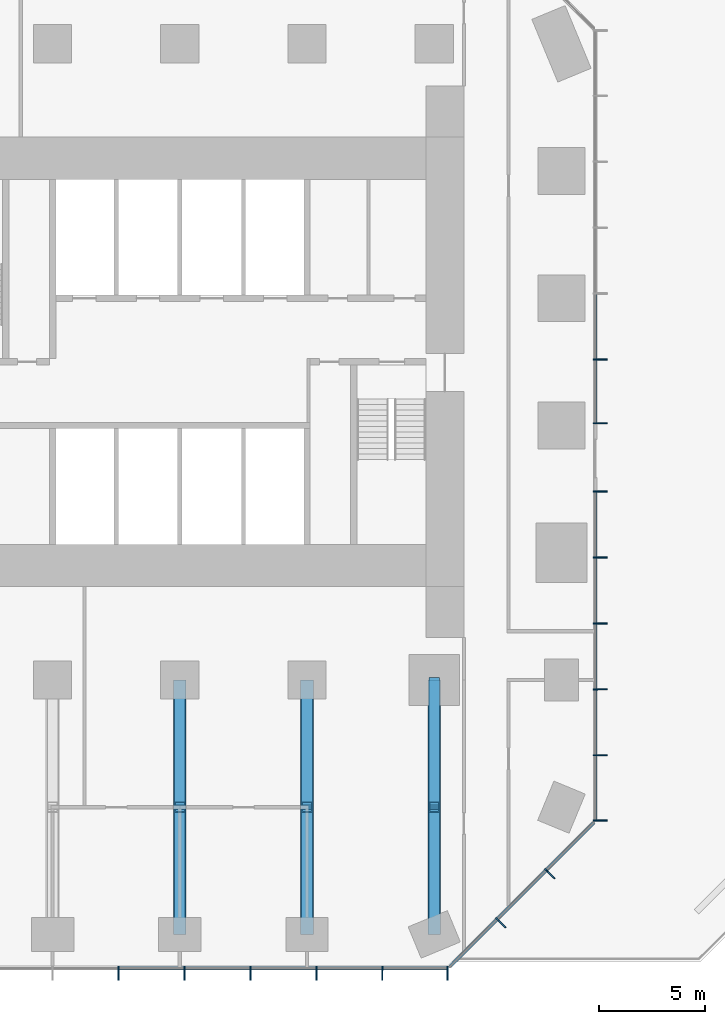
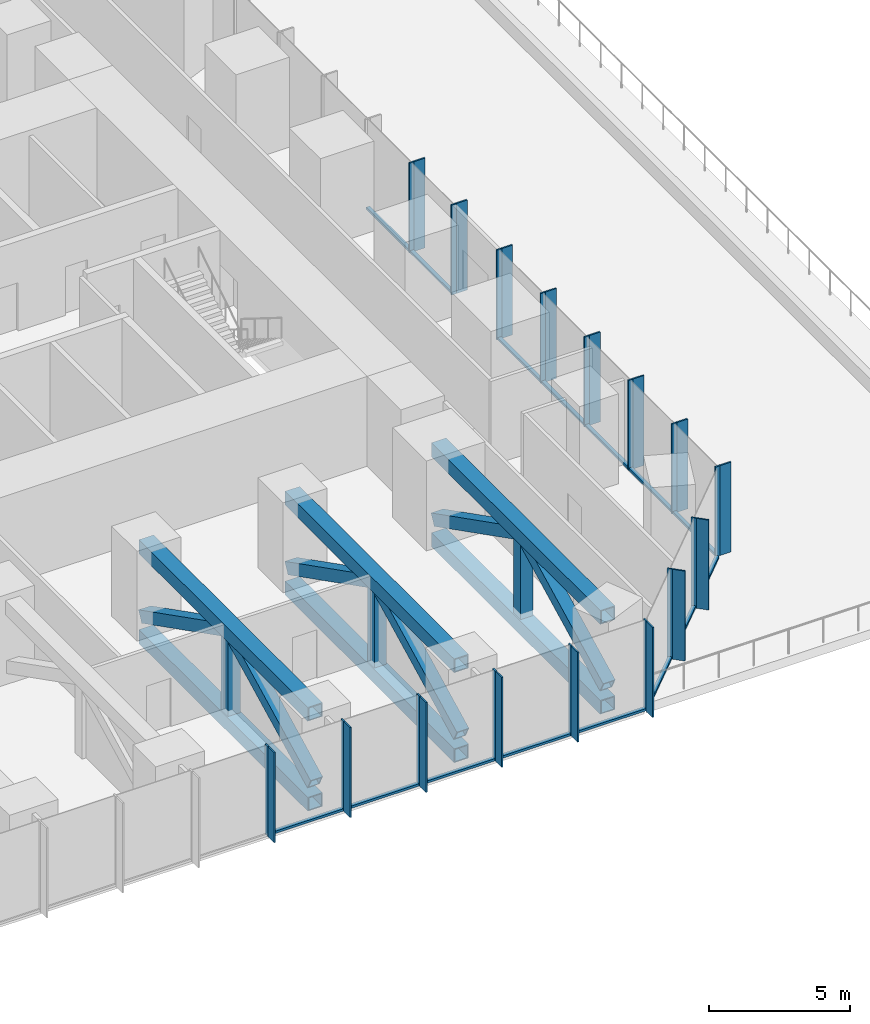
# One storey, part 4 of 11: 56 members, 6 beams, 4 elements without a shape of their own.
"""IFC4 building model written with IfcOpenShell, lengths in metres."""

import ifcopenshell
import ifcopenshell.guid

model = None  # the IFC model being written
_history = None  # IfcOwnerHistory: only IFC2X3 demands one
_inside = {}  # id of a spatial element -> (the spatial element, [elements in it])
_under = {}  # id of a project, library or spatial element -> (it, [spatial elements below it])
_declared = {}  # id of a project -> (the project, [libraries it declares])
_typed = {}  # id of a type object -> (the type object, [elements of that type])
_made_of = {}  # id of a material, layer set ... -> (it, [elements and type objects made of it])


def new_model(schema):
    """Start an empty IFC model of exactly this schema.

    Asked for "IFC4X3", IfcOpenShell would pick the latest addendum, in which some entities
    have other attributes; the version numbers below select the first issue.
    IFC2X3 requires an IfcOwnerHistory on every rooted entity: one is made here for all.
    """
    global model, _history
    if schema == "IFC4X3":
        model = ifcopenshell.file(schema_version=(4, 3, 0, 0))
    else:
        model = ifcopenshell.file(schema=schema)
    _inside.clear()
    _under.clear()
    _declared.clear()
    _typed.clear()
    _made_of.clear()
    _history = None
    if model.schema == "IFC2X3":
        org = make("IfcOrganization", Name="unknown")
        user = make(
            "IfcPersonAndOrganization",
            ThePerson=make("IfcPerson", FamilyName="unknown"),
            TheOrganization=org,
        )
        app = make(
            "IfcApplication",
            ApplicationDeveloper=org,
            Version="unknown",
            ApplicationFullName="unknown",
            ApplicationIdentifier="unknown",
        )
        _history = make(
            "IfcOwnerHistory",
            OwningUser=user,
            OwningApplication=app,
            ChangeAction="ADDED",
            CreationDate=0,
        )
    return model


def make(cls, **values):
    """One entity of the class cls with the attributes given. An attribute that is None is left unset."""
    return model.create_entity(
        cls, **{name: value for name, value in values.items() if value is not None}
    )


def rooted(cls, **values):
    """An entity with a GlobalId (a new one), such as an element, a storey or a relation."""
    return make(cls, GlobalId=ifcopenshell.guid.new(), OwnerHistory=_history, **values)


def si_unit(unit_type, name, prefix=None):
    """IfcSIUnit, for example si_unit("LENGTHUNIT", "METRE", prefix="MILLI")."""
    return make("IfcSIUnit", UnitType=unit_type, Prefix=prefix, Name=name)


def assignment(units):
    """IfcUnitAssignment: the units of a project."""
    return None if units is None else make("IfcUnitAssignment", Units=units)


def point(xyz):
    """IfcCartesianPoint."""
    return None if xyz is None else make("IfcCartesianPoint", Coordinates=xyz)


def direction(xyz):
    """IfcDirection."""
    return None if xyz is None else make("IfcDirection", DirectionRatios=xyz)


def frame(location, z_axis=None, x_axis=None):
    """IfcAxis2Placement3D, a coordinate frame: its origin and axes. An axis left out is left unset."""
    return make(
        "IfcAxis2Placement3D",
        Location=point(location),
        Axis=direction(z_axis),
        RefDirection=direction(x_axis),
    )


def frame_2d(location, x_axis=None):
    """IfcAxis2Placement2D, a coordinate frame in the plane: its origin and x axis."""
    return make(
        "IfcAxis2Placement2D", Location=point(location), RefDirection=direction(x_axis)
    )


def origin():
    """The frame at (0, 0, 0) with its axes left unset."""
    return frame((0.0, 0.0, 0.0))


def origin_2d():
    """The frame at (0, 0) in the plane with its x axis left unset."""
    return frame_2d((0.0, 0.0))


def place(relative_to, where):
    """IfcLocalPlacement: puts the frame where relative to a parent placement (None: the world)."""
    return make(
        "IfcLocalPlacement", PlacementRelTo=relative_to, RelativePlacement=where
    )


def context(
    kind, dimensions, precision=None, world=None, true_north=None, identifier=None
):
    """IfcGeometricRepresentationContext, for example the 3D "Model" context."""
    return make(
        "IfcGeometricRepresentationContext",
        ContextIdentifier=identifier,
        ContextType=kind,
        CoordinateSpaceDimension=dimensions,
        Precision=precision,
        WorldCoordinateSystem=world,
        TrueNorth=true_north,
    )


def subcontext(parent, identifier, kind, view, scale=None):
    """IfcGeometricRepresentationSubContext, for example "Body" below "Model"."""
    return make(
        "IfcGeometricRepresentationSubContext",
        ContextIdentifier=identifier,
        ContextType=kind,
        ParentContext=parent,
        TargetScale=scale,
        TargetView=view,
    )


def project(units=None, contexts=None):
    """IfcProject with its units and contexts."""
    return rooted(
        "IfcProject",
        Name="project",
        RepresentationContexts=contexts,
        UnitsInContext=assignment(units),
    )


def spatial(cls, under=None, at=None, **own):
    """A site, building, storey or space (cls), placed at a placement, below another one or the project."""
    s = rooted(cls, ObjectPlacement=at, **own)
    if under is not None:
        _under.setdefault(under.id(), (under, []))[1].append(s)
    return s


def profile(cls, at=None, kind="AREA", **sizes):
    """A parametric profile (cls). Its sizes go by their IFC names, for example OverallWidth=200.0."""
    return make(cls, ProfileType=kind, Position=at, **sizes)


def rectangle(**sizes):
    """IfcRectangleProfileDef."""
    return profile("IfcRectangleProfileDef", **sizes)


def hollow_rectangle(**sizes):
    """IfcRectangleHollowProfileDef."""
    return profile("IfcRectangleHollowProfileDef", **sizes)


def extrude(swept, where, along, depth):
    """IfcExtrudedAreaSolid: the profile swept, set in the frame where, extruded along a direction by depth."""
    return make(
        "IfcExtrudedAreaSolid",
        SweptArea=swept,
        Position=where,
        ExtrudedDirection=direction(along),
        Depth=depth,
    )


def shape(context_of_items, identifier, shape_type, items):
    """IfcShapeRepresentation: the items that make up one representation, for example the "Body"."""
    return make(
        "IfcShapeRepresentation",
        ContextOfItems=context_of_items,
        RepresentationIdentifier=identifier,
        RepresentationType=shape_type,
        Items=items,
    )


def material(Name=None, Category=None):
    """IfcMaterial."""
    return make("IfcMaterial", Name=Name, Category=Category)


def layer(
    of_material, thickness, ventilated=None, Name=None, Category=None, Priority=None
):
    """IfcMaterialLayer: one layer of a wall or slab, of a material (None: an air gap)."""
    return make(
        "IfcMaterialLayer",
        Material=of_material,
        LayerThickness=thickness,
        IsVentilated=ventilated,
        Name=Name,
        Category=Category,
        Priority=Priority,
    )


def layer_set(layers, Name=None):
    """IfcMaterialLayerSet."""
    return make("IfcMaterialLayerSet", MaterialLayers=layers, LayerSetName=Name)


def material_profile(
    of_material, cross_section, Name=None, Category=None, Priority=None
):
    """IfcMaterialProfile: a cross section and its material."""
    return make(
        "IfcMaterialProfile",
        Name=Name,
        Material=of_material,
        Profile=cross_section,
        Priority=Priority,
        Category=Category,
    )


def profile_set(profiles, Name=None, composite=None):
    """IfcMaterialProfileSet."""
    return make(
        "IfcMaterialProfileSet",
        Name=Name,
        MaterialProfiles=profiles,
        CompositeProfile=composite,
    )


def made_of(thing, what):
    """Note that an element or type object is made of a material, layer set ...; save() writes the relation."""
    if what is not None:
        _made_of.setdefault(what.id(), (what, []))[1].append(thing)
    return thing


def type_object(cls, material=None, **own):
    """A type object (cls), such as IfcWallType, which elements share."""
    return made_of(rooted(cls, **own), material)


def element(
    cls,
    number,
    at=None,
    inside=None,
    cuts=None,
    type_object=None,
    material=None,
    context=None,
    identifier="Body",
    shape_type=None,
    held_by="IfcProductDefinitionShape",
    body=None,
    shapes=None,
    **own,
):
    """One element of the class cls, such as IfcWall. Its Tag is "e" and its number.

    at: its placement. inside: the storey or other place that contains it. cuts: it is an
    opening in that element (IfcRelVoidsElement). A single representation is given by context,
    identifier, shape_type and body (its items); several are given by shapes. held_by: the class
    of the entity that holds the representations. save() writes the other relations.
    """
    e = rooted(cls, Tag="e%d" % number, ObjectPlacement=at, **own)
    if body is not None:
        shapes = [shape(context, identifier, shape_type, body)]
    if shapes is not None:
        e.Representation = make(held_by, Representations=shapes)
    if inside is not None:
        _inside.setdefault(inside.id(), (inside, []))[1].append(e)
    if cuts is not None:
        rooted(
            "IfcRelVoidsElement", RelatingBuildingElement=cuts, RelatedOpeningElement=e
        )
    if type_object is not None:
        _typed.setdefault(type_object.id(), (type_object, []))[1].append(e)
    return made_of(e, material)


def aggregate(whole, parts):
    """IfcRelAggregates: a whole, such as a stair, and the parts it consists of."""
    return rooted("IfcRelAggregates", RelatingObject=whole, RelatedObjects=parts)


def save(model, path):
    """Write the relations noted so far, then the file.

    IfcRelAggregates (storeys below a building ...), IfcRelContainedInSpatialStructure (elements
    in a storey), IfcRelDefinesByType, IfcRelAssociatesMaterial and IfcRelDeclares: one each for
    every whole, place, type object, material and project.
    """
    for whole, parts in _under.values():
        aggregate(whole, parts)
    for where, things in _inside.values():
        rooted(
            "IfcRelContainedInSpatialStructure",
            RelatedElements=things,
            RelatingStructure=where,
        )
    for kind, things in _typed.values():
        rooted("IfcRelDefinesByType", RelatedObjects=things, RelatingType=kind)
    for what, things in _made_of.values():
        rooted("IfcRelAssociatesMaterial", RelatedObjects=things, RelatingMaterial=what)
    for by, libraries in _declared.values():
        rooted("IfcRelDeclares", RelatingContext=by, RelatedDefinitions=libraries)
    model.write(path)


model = new_model("IFC4")

# Units and contexts
model_context = context("Model", 3, precision=1e-05, world=origin(), true_north=direction((0.0, 1.0)))
body_context = subcontext(model_context, "Body", "Model", "MODEL_VIEW")
ifc_project = project(units=[si_unit("LENGTHUNIT", "METRE"), si_unit("AREAUNIT", "SQUARE_METRE"), si_unit("VOLUMEUNIT", "CUBIC_METRE"), si_unit("PLANEANGLEUNIT", "RADIAN"), si_unit("MASSUNIT", "GRAM", prefix="KILO")], contexts=[model_context])

# Site, building, storey
site_placement = place(None, origin())
site = spatial("IfcSite", under=ifc_project, at=site_placement, CompositionType="ELEMENT")
building_placement = place(site_placement, origin())
building = spatial("IfcBuilding", under=site, at=building_placement, Name="Highveld Stack Headquarters", CompositionType="ELEMENT")
storey_placement = place(building_placement, frame((0.0, 0.0, 18.199951171875)))
storey = spatial("IfcBuildingStorey", under=building, at=storey_placement, Name="L03", CompositionType="ELEMENT", Elevation=18.199951171875)

# Curtain wall, members
ifc_material_1 = material(Name="Aluminium bronze anodised", Category="aluminium")
ifc_layer_1 = layer(ifc_material_1, 0.199951171875)
ifc_layer_set_1 = layer_set([ifc_layer_1], Name="Aluminium bronze anodised")
curtain_wall_type_1 = type_object("IfcCurtainWallType", Name="CW1 TOWER UNITISED CURTAIN WALL", PredefinedType="NOTDEFINED", material=ifc_layer_set_1)
curtain_wall_1_placement = place(storey_placement, origin())
curtain_wall_1 = element("IfcCurtainWall", 1, at=curtain_wall_1_placement, inside=storey, type_object=curtain_wall_type_1, Name="Curtain wall CW1 L03 S", PredefinedType="NOTDEFINED")
ifc_material_2 = material(Name="Aluminium bronze anodised", Category="aluminium")
ifc_material_profile_1 = material_profile(ifc_material_2, rectangle(XDim=0.449951171875, YDim=0.06005859375, at=origin_2d()), Name="FIN 450x60")
ifc_profile_set_1 = profile_set([ifc_material_profile_1], Name="Aluminium bronze anodised")
member_type_1 = type_object("IfcMemberType", Name="CW1 BRONZE FIN 450x60", PredefinedType="USERDEFINED", material=ifc_profile_set_1)
member_1_placement = place(storey_placement, frame((3.110595703125, -25.925048828125, 0.0), z_axis=(0.0, 0.0, 1.0), x_axis=(0.0, 1.0, 0.0)))
member_1 = element("IfcMember", 2, at=member_1_placement, type_object=member_type_1, Name="CW1 fin L03 8", ObjectType="FIN", PredefinedType="USERDEFINED", context=body_context, shape_type="SweptSolid", body=[
    extrude(rectangle(XDim=0.449951171875, YDim=0.06005859375, at=origin_2d()), origin(), (0.0, 0.0, 1.0), 3.900146484375),
])
member_2_placement = place(storey_placement, frame((6.220947265625, -25.925048828125, 0.0), z_axis=(0.0, 0.0, 1.0), x_axis=(0.0, 1.0, 0.0)))
member_2 = element("IfcMember", 3, at=member_2_placement, type_object=member_type_1, Name="CW1 fin L03 9", ObjectType="FIN", PredefinedType="USERDEFINED", context=body_context, shape_type="SweptSolid", body=[
    extrude(rectangle(XDim=0.449951171875, YDim=0.06005859375, at=origin_2d()), origin(), (0.0, 0.0, 1.0), 3.900146484375),
])
member_3_placement = place(storey_placement, frame((9.331298828125, -25.925048828125, 0.0), z_axis=(0.0, 0.0, 1.0), x_axis=(0.0, 1.0, 0.0)))
member_3 = element("IfcMember", 4, at=member_3_placement, type_object=member_type_1, Name="CW1 fin L03 10", ObjectType="FIN", PredefinedType="USERDEFINED", context=body_context, shape_type="SweptSolid", body=[
    extrude(rectangle(XDim=0.449951171875, YDim=0.06005859375, at=origin_2d()), origin(), (0.0, 0.0, 1.0), 3.900146484375),
])
member_4_placement = place(storey_placement, frame((12.44189453125, -25.925048828125, 0.0), z_axis=(0.0, 0.0, 1.0), x_axis=(0.0, 1.0, 0.0)))
member_4 = element("IfcMember", 5, at=member_4_placement, type_object=member_type_1, Name="CW1 fin L03 11", ObjectType="FIN", PredefinedType="USERDEFINED", context=body_context, shape_type="SweptSolid", body=[
    extrude(rectangle(XDim=0.449951171875, YDim=0.06005859375, at=origin_2d()), origin(), (0.0, 0.0, 1.0), 3.900146484375),
])
member_5_placement = place(storey_placement, frame((15.55224609375, -25.925048828125, 0.0), z_axis=(0.0, 0.0, 1.0), x_axis=(0.0, 1.0, 0.0)))
member_5 = element("IfcMember", 6, at=member_5_placement, type_object=member_type_1, Name="CW1 fin L03 12", ObjectType="FIN", PredefinedType="USERDEFINED", context=body_context, shape_type="SweptSolid", body=[
    extrude(rectangle(XDim=0.449951171875, YDim=0.06005859375, at=origin_2d()), origin(), (0.0, 0.0, 1.0), 3.900146484375),
])
member_6_placement = place(storey_placement, frame((18.630126953125, -25.925048828125, 0.0), z_axis=(0.0, 0.0, 1.0), x_axis=(0.0, 1.0, 0.0)))
member_6 = element("IfcMember", 7, at=member_6_placement, type_object=member_type_1, Name="CW1 fin L03 13", ObjectType="FIN", PredefinedType="USERDEFINED", context=body_context, shape_type="SweptSolid", body=[
    extrude(rectangle(XDim=0.449951171875, YDim=0.06005859375, at=origin_2d()), origin(), (0.0, 0.0, 1.0), 3.900146484375),
])

curtain_wall_2_placement = place(storey_placement, origin())
curtain_wall_2 = element("IfcCurtainWall", 8, at=curtain_wall_2_placement, inside=storey, type_object=curtain_wall_type_1, Name="Curtain wall CW1 L03 E-1", PredefinedType="NOTDEFINED")
member_7_placement = place(storey_placement, frame((25.925048828125, -18.630126953125, 0.0), z_axis=(0.0, 0.0, 1.0), x_axis=(-1.0, 0.0, 0.0)))
member_7 = element("IfcMember", 9, at=member_7_placement, type_object=member_type_1, Name="CW1 fin L03 1", ObjectType="FIN", PredefinedType="USERDEFINED", context=body_context, shape_type="SweptSolid", body=[
    extrude(rectangle(XDim=0.449951171875, YDim=0.06005859375, at=origin_2d()), origin(), (0.0, 0.0, 1.0), 3.900146484375),
])
member_8_placement = place(storey_placement, frame((25.925048828125, -15.55224609375, 0.0), z_axis=(0.0, 0.0, 1.0), x_axis=(-1.0, 0.0, 0.0)))
member_8 = element("IfcMember", 10, at=member_8_placement, type_object=member_type_1, Name="CW1 fin L03 2", ObjectType="FIN", PredefinedType="USERDEFINED", context=body_context, shape_type="SweptSolid", body=[
    extrude(rectangle(XDim=0.449951171875, YDim=0.06005859375, at=origin_2d()), origin(), (0.0, 0.0, 1.0), 3.900146484375),
])
member_9_placement = place(storey_placement, frame((25.925048828125, -12.44189453125, 0.0), z_axis=(0.0, 0.0, 1.0), x_axis=(-1.0, 0.0, 0.0)))
member_9 = element("IfcMember", 11, at=member_9_placement, type_object=member_type_1, Name="CW1 fin L03 3", ObjectType="FIN", PredefinedType="USERDEFINED", context=body_context, shape_type="SweptSolid", body=[
    extrude(rectangle(XDim=0.449951171875, YDim=0.06005859375, at=origin_2d()), origin(), (0.0, 0.0, 1.0), 3.900146484375),
])
member_10_placement = place(storey_placement, frame((25.925048828125, -9.331298828125, 0.0), z_axis=(0.0, 0.0, 1.0), x_axis=(-1.0, 0.0, 0.0)))
member_10 = element("IfcMember", 12, at=member_10_placement, type_object=member_type_1, Name="CW1 fin L03 4", ObjectType="FIN", PredefinedType="USERDEFINED", context=body_context, shape_type="SweptSolid", body=[
    extrude(rectangle(XDim=0.449951171875, YDim=0.06005859375, at=origin_2d()), origin(), (0.0, 0.0, 1.0), 3.900146484375),
])
member_11_placement = place(storey_placement, frame((25.925048828125, -6.220947265625, 0.0), z_axis=(0.0, 0.0, 1.0), x_axis=(-1.0, 0.0, 0.0)))
member_11 = element("IfcMember", 13, at=member_11_placement, type_object=member_type_1, Name="CW1 fin L03 5", ObjectType="FIN", PredefinedType="USERDEFINED", context=body_context, shape_type="SweptSolid", body=[
    extrude(rectangle(XDim=0.449951171875, YDim=0.06005859375, at=origin_2d()), origin(), (0.0, 0.0, 1.0), 3.900146484375),
])
member_12_placement = place(storey_placement, frame((25.925048828125, -3.110595703125, 0.0), z_axis=(0.0, 0.0, 1.0), x_axis=(-1.0, 0.0, 0.0)))
member_12 = element("IfcMember", 14, at=member_12_placement, type_object=member_type_1, Name="CW1 fin L03 6", ObjectType="FIN", PredefinedType="USERDEFINED", context=body_context, shape_type="SweptSolid", body=[
    extrude(rectangle(XDim=0.449951171875, YDim=0.06005859375, at=origin_2d()), origin(), (0.0, 0.0, 1.0), 3.900146484375),
])

curtain_wall_3_placement = place(storey_placement, origin())
curtain_wall_3 = element("IfcCurtainWall", 15, at=curtain_wall_3_placement, inside=storey, type_object=curtain_wall_type_1, Name="Curtain wall CW1 L03 E-2", PredefinedType="NOTDEFINED")
member_13_placement = place(storey_placement, frame((25.925048828125, 0.107421875, 0.0), z_axis=(0.0, 0.0, 1.0), x_axis=(-1.0, 0.0, 0.0)))
member_13 = element("IfcMember", 16, at=member_13_placement, type_object=member_type_1, Name="CW1 fin L03 1", ObjectType="FIN", PredefinedType="USERDEFINED", context=body_context, shape_type="SweptSolid", body=[
    extrude(rectangle(XDim=0.449951171875, YDim=0.06005859375, at=origin_2d()), origin(), (0.0, 0.0, 1.0), 3.900146484375),
])
member_14_placement = place(storey_placement, frame((25.925048828125, 3.110595703125, 0.0), z_axis=(0.0, 0.0, 1.0), x_axis=(-1.0, 0.0, 0.0)))
member_14 = element("IfcMember", 17, at=member_14_placement, type_object=member_type_1, Name="CW1 fin L03 2", ObjectType="FIN", PredefinedType="USERDEFINED", context=body_context, shape_type="SweptSolid", body=[
    extrude(rectangle(XDim=0.449951171875, YDim=0.06005859375, at=origin_2d()), origin(), (0.0, 0.0, 1.0), 3.900146484375),
])

# Member
ifc_material_3 = material(Name="Aluminium bronze anodised", Category="aluminium")
ifc_material_profile_2 = material_profile(ifc_material_3, rectangle(XDim=0.199951171875, YDim=0.06494140625, at=origin_2d()), Name="CW1 MULLION 65x200")
ifc_profile_set_2 = profile_set([ifc_material_profile_2], Name="Aluminium bronze anodised")
member_type_2 = type_object("IfcMemberType", Name="CW1 MULLION 65x200", PredefinedType="MULLION", material=ifc_profile_set_2)
member_15_placement = place(storey_placement, frame((3.110595703125, -25.60009765625, 0.0), z_axis=(0.0, 0.0, 1.0), x_axis=(0.0, 1.0, 0.0)))
member_15 = element("IfcMember", 18, at=member_15_placement, type_object=member_type_2, Name="CW1 mullion L03 8", PredefinedType="MULLION", context=body_context, shape_type="SweptSolid", body=[
    extrude(rectangle(XDim=0.199951171875, YDim=0.06494140625, at=origin_2d()), origin(), (0.0, 0.0, 1.0), 3.900146484375),
])

member_16_placement = place(storey_placement, frame((6.220947265625, -25.60009765625, 0.0), z_axis=(0.0, 0.0, 1.0), x_axis=(0.0, 1.0, 0.0)))
member_16 = element("IfcMember", 19, at=member_16_placement, type_object=member_type_2, Name="CW1 mullion L03 9", PredefinedType="MULLION", context=body_context, shape_type="SweptSolid", body=[
    extrude(rectangle(XDim=0.199951171875, YDim=0.06494140625, at=origin_2d()), origin(), (0.0, 0.0, 1.0), 3.900146484375),
])

member_17_placement = place(storey_placement, frame((9.331298828125, -25.60009765625, 0.0), z_axis=(0.0, 0.0, 1.0), x_axis=(0.0, 1.0, 0.0)))
member_17 = element("IfcMember", 20, at=member_17_placement, type_object=member_type_2, Name="CW1 mullion L03 10", PredefinedType="MULLION", context=body_context, shape_type="SweptSolid", body=[
    extrude(rectangle(XDim=0.199951171875, YDim=0.06494140625, at=origin_2d()), origin(), (0.0, 0.0, 1.0), 3.900146484375),
])

member_18_placement = place(storey_placement, frame((12.44189453125, -25.60009765625, 0.0), z_axis=(0.0, 0.0, 1.0), x_axis=(0.0, 1.0, 0.0)))
member_18 = element("IfcMember", 21, at=member_18_placement, type_object=member_type_2, Name="CW1 mullion L03 11", PredefinedType="MULLION", context=body_context, shape_type="SweptSolid", body=[
    extrude(rectangle(XDim=0.199951171875, YDim=0.06494140625, at=origin_2d()), origin(), (0.0, 0.0, 1.0), 3.900146484375),
])

member_19_placement = place(storey_placement, frame((15.55224609375, -25.60009765625, 0.0), z_axis=(0.0, 0.0, 1.0), x_axis=(0.0, 1.0, 0.0)))
member_19 = element("IfcMember", 22, at=member_19_placement, type_object=member_type_2, Name="CW1 mullion L03 12", PredefinedType="MULLION", context=body_context, shape_type="SweptSolid", body=[
    extrude(rectangle(XDim=0.199951171875, YDim=0.06494140625, at=origin_2d()), origin(), (0.0, 0.0, 1.0), 3.900146484375),
])

member_20_placement = place(storey_placement, frame((18.630126953125, -25.60009765625, 0.0), z_axis=(0.0, 0.0, 1.0), x_axis=(0.0, 1.0, 0.0)))
member_20 = element("IfcMember", 23, at=member_20_placement, type_object=member_type_2, Name="CW1 mullion L03 13", PredefinedType="MULLION", context=body_context, shape_type="SweptSolid", body=[
    extrude(rectangle(XDim=0.199951171875, YDim=0.06494140625, at=origin_2d()), origin(), (0.0, 0.0, 1.0), 3.900146484375),
])

member_21_placement = place(storey_placement, frame((25.60009765625, -18.630126953125, 0.0), z_axis=(0.0, 0.0, 1.0), x_axis=(-1.0, 0.0, 0.0)))
member_21 = element("IfcMember", 24, at=member_21_placement, type_object=member_type_2, Name="CW1 mullion L03 1", PredefinedType="MULLION", context=body_context, shape_type="SweptSolid", body=[
    extrude(rectangle(XDim=0.199951171875, YDim=0.06494140625, at=origin_2d()), origin(), (0.0, 0.0, 1.0), 3.900146484375),
])

member_22_placement = place(storey_placement, frame((25.60009765625, -15.55224609375, 0.0), z_axis=(0.0, 0.0, 1.0), x_axis=(-1.0, 0.0, 0.0)))
member_22 = element("IfcMember", 25, at=member_22_placement, type_object=member_type_2, Name="CW1 mullion L03 2", PredefinedType="MULLION", context=body_context, shape_type="SweptSolid", body=[
    extrude(rectangle(XDim=0.199951171875, YDim=0.06494140625, at=origin_2d()), origin(), (0.0, 0.0, 1.0), 3.900146484375),
])

member_23_placement = place(storey_placement, frame((25.60009765625, -12.44189453125, 0.0), z_axis=(0.0, 0.0, 1.0), x_axis=(-1.0, 0.0, 0.0)))
member_23 = element("IfcMember", 26, at=member_23_placement, type_object=member_type_2, Name="CW1 mullion L03 3", PredefinedType="MULLION", context=body_context, shape_type="SweptSolid", body=[
    extrude(rectangle(XDim=0.199951171875, YDim=0.06494140625, at=origin_2d()), origin(), (0.0, 0.0, 1.0), 3.900146484375),
])

member_24_placement = place(storey_placement, frame((25.60009765625, -9.331298828125, 0.0), z_axis=(0.0, 0.0, 1.0), x_axis=(-1.0, 0.0, 0.0)))
member_24 = element("IfcMember", 27, at=member_24_placement, type_object=member_type_2, Name="CW1 mullion L03 4", PredefinedType="MULLION", context=body_context, shape_type="SweptSolid", body=[
    extrude(rectangle(XDim=0.199951171875, YDim=0.06494140625, at=origin_2d()), origin(), (0.0, 0.0, 1.0), 3.900146484375),
])

member_25_placement = place(storey_placement, frame((25.60009765625, -6.220947265625, 0.0), z_axis=(0.0, 0.0, 1.0), x_axis=(-1.0, 0.0, 0.0)))
member_25 = element("IfcMember", 28, at=member_25_placement, type_object=member_type_2, Name="CW1 mullion L03 5", PredefinedType="MULLION", context=body_context, shape_type="SweptSolid", body=[
    extrude(rectangle(XDim=0.199951171875, YDim=0.06494140625, at=origin_2d()), origin(), (0.0, 0.0, 1.0), 3.900146484375),
])

member_26_placement = place(storey_placement, frame((25.60009765625, -3.110595703125, 0.0), z_axis=(0.0, 0.0, 1.0), x_axis=(-1.0, 0.0, 0.0)))
member_26 = element("IfcMember", 29, at=member_26_placement, type_object=member_type_2, Name="CW1 mullion L03 6", PredefinedType="MULLION", context=body_context, shape_type="SweptSolid", body=[
    extrude(rectangle(XDim=0.199951171875, YDim=0.06494140625, at=origin_2d()), origin(), (0.0, 0.0, 1.0), 3.900146484375),
])

member_27_placement = place(storey_placement, frame((25.60009765625, 0.107421875, 0.0), z_axis=(0.0, 0.0, 1.0), x_axis=(-1.0, 0.0, 0.0)))
member_27 = element("IfcMember", 30, at=member_27_placement, type_object=member_type_2, Name="CW1 mullion L03 1", PredefinedType="MULLION", context=body_context, shape_type="SweptSolid", body=[
    extrude(rectangle(XDim=0.199951171875, YDim=0.06494140625, at=origin_2d()), origin(), (0.0, 0.0, 1.0), 3.900146484375),
])

member_28_placement = place(storey_placement, frame((25.60009765625, 3.110595703125, 0.0), z_axis=(0.0, 0.0, 1.0), x_axis=(-1.0, 0.0, 0.0)))
member_28 = element("IfcMember", 31, at=member_28_placement, type_object=member_type_2, Name="CW1 mullion L03 2", PredefinedType="MULLION", context=body_context, shape_type="SweptSolid", body=[
    extrude(rectangle(XDim=0.199951171875, YDim=0.06494140625, at=origin_2d()), origin(), (0.0, 0.0, 1.0), 3.900146484375),
])

ifc_material_4 = material(Name="Aluminium bronze anodised", Category="aluminium")
ifc_material_profile_3 = material_profile(ifc_material_4, rectangle(XDim=0.14990234375, YDim=0.10009765625, at=origin_2d()), Name="CW1 TRANSOM 150x100")
ifc_profile_set_3 = profile_set([ifc_material_profile_3], Name="Aluminium bronze anodised")
member_type_3 = type_object("IfcMemberType", Name="CW1 STACK TRANSOM 150x100", PredefinedType="USERDEFINED", material=ifc_profile_set_3)
member_29_placement = place(storey_placement, frame((3.142822265625, -25.60009765625, 0.050048828125), z_axis=(1.0, 0.0, 0.0), x_axis=(0.0, 1.0, 0.0)))
member_29 = element("IfcMember", 32, at=member_29_placement, type_object=member_type_3, Name="CW1 transom L03 8.1", ObjectType="TRANSOM", PredefinedType="USERDEFINED", context=body_context, shape_type="SweptSolid", body=[
    extrude(rectangle(XDim=0.14990234375, YDim=0.10009765625, at=origin_2d()), origin(), (0.0, 0.0, 1.0), 3.045654296875),
])

member_30_placement = place(storey_placement, frame((6.25341796875, -25.60009765625, 0.050048828125), z_axis=(1.0, 0.0, 0.0), x_axis=(0.0, 1.0, 0.0)))
member_30 = element("IfcMember", 33, at=member_30_placement, type_object=member_type_3, Name="CW1 transom L03 9.1", ObjectType="TRANSOM", PredefinedType="USERDEFINED", context=body_context, shape_type="SweptSolid", body=[
    extrude(rectangle(XDim=0.14990234375, YDim=0.10009765625, at=origin_2d()), origin(), (0.0, 0.0, 1.0), 3.04541015625),
])

member_31_placement = place(storey_placement, frame((9.36376953125, -25.60009765625, 0.050048828125), z_axis=(1.0, 0.0, 0.0), x_axis=(0.0, 1.0, 0.0)))
member_31 = element("IfcMember", 34, at=member_31_placement, type_object=member_type_3, Name="CW1 transom L03 10.1", ObjectType="TRANSOM", PredefinedType="USERDEFINED", context=body_context, shape_type="SweptSolid", body=[
    extrude(rectangle(XDim=0.14990234375, YDim=0.10009765625, at=origin_2d()), origin(), (0.0, 0.0, 1.0), 3.04541015625),
])

member_32_placement = place(storey_placement, frame((12.474365234375, -25.60009765625, 0.050048828125), z_axis=(1.0, 0.0, 0.0), x_axis=(0.0, 1.0, 0.0)))
member_32 = element("IfcMember", 35, at=member_32_placement, type_object=member_type_3, Name="CW1 transom L03 11.1", ObjectType="TRANSOM", PredefinedType="USERDEFINED", context=body_context, shape_type="SweptSolid", body=[
    extrude(rectangle(XDim=0.14990234375, YDim=0.10009765625, at=origin_2d()), origin(), (0.0, 0.0, 1.0), 3.04541015625),
])

member_33_placement = place(storey_placement, frame((15.584716796875, -25.60009765625, 0.050048828125), z_axis=(1.0, 0.0, 0.0), x_axis=(0.0, 1.0, 0.0)))
member_33 = element("IfcMember", 36, at=member_33_placement, type_object=member_type_3, Name="CW1 transom L03 12.1", ObjectType="TRANSOM", PredefinedType="USERDEFINED", context=body_context, shape_type="SweptSolid", body=[
    extrude(rectangle(XDim=0.14990234375, YDim=0.10009765625, at=origin_2d()), origin(), (0.0, 0.0, 1.0), 3.012939453125),
])

aggregate(curtain_wall_1, [member_15, member_1, member_16, member_2, member_17, member_3, member_18, member_4, member_19, member_5, member_20, member_6, member_29, member_30, member_31, member_32, member_33])

member_34_placement = place(storey_placement, frame((25.60009765625, -18.59765625, 0.050048828125), z_axis=(0.0, 1.0, 0.0), x_axis=(-1.0, 0.0, 0.0)))
member_34 = element("IfcMember", 37, at=member_34_placement, type_object=member_type_3, Name="CW1 transom L03 1.1", ObjectType="TRANSOM", PredefinedType="USERDEFINED", context=body_context, shape_type="SweptSolid", body=[
    extrude(rectangle(XDim=0.14990234375, YDim=0.10009765625, at=origin_2d()), origin(), (0.0, 0.0, 1.0), 3.012939453125),
])

member_35_placement = place(storey_placement, frame((25.60009765625, -15.519775390625, 0.050048828125), z_axis=(0.0, 1.0, 0.0), x_axis=(-1.0, 0.0, 0.0)))
member_35 = element("IfcMember", 38, at=member_35_placement, type_object=member_type_3, Name="CW1 transom L03 2.1", ObjectType="TRANSOM", PredefinedType="USERDEFINED", context=body_context, shape_type="SweptSolid", body=[
    extrude(rectangle(XDim=0.14990234375, YDim=0.10009765625, at=origin_2d()), origin(), (0.0, 0.0, 1.0), 3.04541015625),
])

member_36_placement = place(storey_placement, frame((25.60009765625, -12.4091796875, 0.050048828125), z_axis=(0.0, 1.0, 0.0), x_axis=(-1.0, 0.0, 0.0)))
member_36 = element("IfcMember", 39, at=member_36_placement, type_object=member_type_3, Name="CW1 transom L03 3.1", ObjectType="TRANSOM", PredefinedType="USERDEFINED", context=body_context, shape_type="SweptSolid", body=[
    extrude(rectangle(XDim=0.14990234375, YDim=0.10009765625, at=origin_2d()), origin(), (0.0, 0.0, 1.0), 3.045166015625),
])

member_37_placement = place(storey_placement, frame((25.60009765625, -9.298828125, 0.050048828125), z_axis=(0.0, 1.0, 0.0), x_axis=(-1.0, 0.0, 0.0)))
member_37 = element("IfcMember", 40, at=member_37_placement, type_object=member_type_3, Name="CW1 transom L03 4.1", ObjectType="TRANSOM", PredefinedType="USERDEFINED", context=body_context, shape_type="SweptSolid", body=[
    extrude(rectangle(XDim=0.14990234375, YDim=0.10009765625, at=origin_2d()), origin(), (0.0, 0.0, 1.0), 3.04541015625),
])

member_38_placement = place(storey_placement, frame((25.60009765625, -6.1884765625, 0.050048828125), z_axis=(0.0, 1.0, 0.0), x_axis=(-1.0, 0.0, 0.0)))
member_38 = element("IfcMember", 41, at=member_38_placement, type_object=member_type_3, Name="CW1 transom L03 5.1", ObjectType="TRANSOM", PredefinedType="USERDEFINED", context=body_context, shape_type="SweptSolid", body=[
    extrude(rectangle(XDim=0.14990234375, YDim=0.10009765625, at=origin_2d()), origin(), (0.0, 0.0, 1.0), 3.04541015625),
])

aggregate(curtain_wall_2, [member_21, member_7, member_22, member_8, member_23, member_9, member_24, member_10, member_25, member_11, member_26, member_12, member_34, member_35, member_36, member_37, member_38])

member_39_placement = place(storey_placement, frame((25.60009765625, 0.139892578125, 0.050048828125), z_axis=(0.0, 1.0, 0.0), x_axis=(-1.0, 0.0, 0.0)))
member_39 = element("IfcMember", 42, at=member_39_placement, type_object=member_type_3, Name="CW1 transom L03 7.1", ObjectType="TRANSOM", PredefinedType="USERDEFINED", context=body_context, shape_type="SweptSolid", body=[
    extrude(rectangle(XDim=0.14990234375, YDim=0.10009765625, at=origin_2d()), origin(), (0.0, 0.0, 1.0), 2.93798828125),
])

member_40_placement = place(storey_placement, frame((25.60009765625, 3.142822265625, 0.050048828125), z_axis=(0.0, 1.0, 0.0), x_axis=(-1.0, 0.0, 0.0)))
member_40 = element("IfcMember", 43, at=member_40_placement, type_object=member_type_3, Name="CW1 transom L03 8.1", ObjectType="TRANSOM", PredefinedType="USERDEFINED", context=body_context, shape_type="SweptSolid", body=[
    extrude(rectangle(XDim=0.14990234375, YDim=0.10009765625, at=origin_2d()), origin(), (0.0, 0.0, 1.0), 3.045654296875),
])

aggregate(curtain_wall_3, [member_27, member_13, member_28, member_14, member_39, member_40])

# Curtain wall, members
ifc_material_5 = material(Name="Aluminium bronze anodised", Category="aluminium")
ifc_layer_2 = layer(ifc_material_5, 0.199951171875)
ifc_layer_set_2 = layer_set([ifc_layer_2], Name="Aluminium bronze anodised")
curtain_wall_type_2 = type_object("IfcCurtainWallType", Name="CW2 TOWER CHAMFER UNITISED CURTAIN WALL", PredefinedType="NOTDEFINED", material=ifc_layer_set_2)
curtain_wall_4_placement = place(storey_placement, origin())
curtain_wall_4 = element("IfcCurtainWall", 44, at=curtain_wall_4_placement, inside=storey, type_object=curtain_wall_type_2, Name="Curtain wall CW2 L03 SE", PredefinedType="NOTDEFINED")
ifc_material_6 = material(Name="Aluminium bronze anodised", Category="aluminium")
ifc_material_profile_4 = material_profile(ifc_material_6, rectangle(XDim=0.449951171875, YDim=0.06005859375, at=origin_2d()), Name="FIN 450x60")
ifc_profile_set_4 = profile_set([ifc_material_profile_4], Name="Aluminium bronze anodised")
member_type_4 = type_object("IfcMemberType", Name="CW2 BRONZE FIN 450x60", PredefinedType="USERDEFINED", material=ifc_profile_set_4)
member_41_placement = place(storey_placement, frame((21.204833984375, -23.517333984375, 0.0), z_axis=(0.0, 0.0, 1.0), x_axis=(-0.707106781187, 0.707106781187, 0.0)))
member_41 = element("IfcMember", 45, at=member_41_placement, type_object=member_type_4, Name="CW2 fin L03 1", ObjectType="FIN", PredefinedType="USERDEFINED", context=body_context, shape_type="SweptSolid", body=[
    extrude(rectangle(XDim=0.449951171875, YDim=0.06005859375, at=origin_2d()), origin(), (0.0, 0.0, 1.0), 3.900146484375),
])
member_42_placement = place(storey_placement, frame((23.517333984375, -21.204833984375, 0.0), z_axis=(0.0, 0.0, 1.0), x_axis=(-0.707106781187, 0.707106781187, 0.0)))
member_42 = element("IfcMember", 46, at=member_42_placement, type_object=member_type_4, Name="CW2 fin L03 2", ObjectType="FIN", PredefinedType="USERDEFINED", context=body_context, shape_type="SweptSolid", body=[
    extrude(rectangle(XDim=0.449951171875, YDim=0.06005859375, at=origin_2d()), origin(), (0.0, 0.0, 1.0), 3.900146484375),
])
ifc_material_7 = material(Name="Aluminium bronze anodised", Category="aluminium")
ifc_material_profile_5 = material_profile(ifc_material_7, rectangle(XDim=0.199951171875, YDim=0.06494140625, at=origin_2d()), Name="CW2 MULLION 65x200")
ifc_profile_set_5 = profile_set([ifc_material_profile_5], Name="Aluminium bronze anodised")
member_type_5 = type_object("IfcMemberType", Name="CW2 MULLION 65x200", PredefinedType="MULLION", material=ifc_profile_set_5)
member_43_placement = place(storey_placement, frame((20.97509765625, -23.28759765625, 0.0), z_axis=(0.0, 0.0, 1.0), x_axis=(-0.707106781187, 0.707106781187, 0.0)))
member_43 = element("IfcMember", 47, at=member_43_placement, type_object=member_type_5, Name="CW2 mullion L03 1", PredefinedType="MULLION", context=body_context, shape_type="SweptSolid", body=[
    extrude(rectangle(XDim=0.199951171875, YDim=0.06494140625, at=origin_2d()), origin(), (0.0, 0.0, 1.0), 3.900146484375),
])
member_44_placement = place(storey_placement, frame((23.28759765625, -20.97509765625, 0.0), z_axis=(0.0, 0.0, 1.0), x_axis=(-0.707106781187, 0.707106781187, 0.0)))
member_44 = element("IfcMember", 48, at=member_44_placement, type_object=member_type_5, Name="CW2 mullion L03 2", PredefinedType="MULLION", context=body_context, shape_type="SweptSolid", body=[
    extrude(rectangle(XDim=0.199951171875, YDim=0.06494140625, at=origin_2d()), origin(), (0.0, 0.0, 1.0), 3.900146484375),
])
ifc_material_8 = material(Name="Aluminium bronze anodised", Category="aluminium")
ifc_material_profile_6 = material_profile(ifc_material_8, rectangle(XDim=0.14990234375, YDim=0.10009765625, at=origin_2d()), Name="CW2 TRANSOM 150x100")
ifc_profile_set_6 = profile_set([ifc_material_profile_6], Name="Aluminium bronze anodised")
member_type_6 = type_object("IfcMemberType", Name="CW2 STACK TRANSOM 150x100", PredefinedType="USERDEFINED", material=ifc_profile_set_6)
member_45_placement = place(storey_placement, frame((18.7333984375, -25.529296875, 0.050048828125), z_axis=(0.707106781187, 0.707106781187, 0.0), x_axis=(-0.707106781187, 0.707106781187, 0.0)))
member_45 = element("IfcMember", 49, at=member_45_placement, type_object=member_type_6, Name="CW2 transom L03 1.1", ObjectType="TRANSOM", PredefinedType="USERDEFINED", context=body_context, shape_type="SweptSolid", body=[
    extrude(rectangle(XDim=0.14990234375, YDim=0.10009765625, at=origin_2d()), origin(), (0.0, 0.0, 1.0), 3.1376953125),
])
member_46_placement = place(storey_placement, frame((20.998046875, -23.2646484375, 0.050048828125), z_axis=(0.707106781187, 0.707106781187, 0.0), x_axis=(-0.707106781187, 0.707106781187, 0.0)))
member_46 = element("IfcMember", 50, at=member_46_placement, type_object=member_type_6, Name="CW2 transom L03 2.1", ObjectType="TRANSOM", PredefinedType="USERDEFINED", context=body_context, shape_type="SweptSolid", body=[
    extrude(rectangle(XDim=0.14990234375, YDim=0.10009765625, at=origin_2d()), origin(), (0.0, 0.0, 1.0), 3.20556640625),
])
member_47_placement = place(storey_placement, frame((23.310546875, -20.9521484375, 0.050048828125), z_axis=(0.707106781187, 0.707106781187, 0.0), x_axis=(-0.707106781187, 0.707106781187, 0.0)))
member_47 = element("IfcMember", 51, at=member_47_placement, type_object=member_type_6, Name="CW2 transom L03 3.1", ObjectType="TRANSOM", PredefinedType="USERDEFINED", context=body_context, shape_type="SweptSolid", body=[
    extrude(rectangle(XDim=0.14990234375, YDim=0.10009765625, at=origin_2d()), origin(), (0.0, 0.0, 1.0), 3.1376953125),
])
aggregate(curtain_wall_4, [member_43, member_41, member_44, member_42, member_45, member_46, member_47])

# Beams
ifc_material_9 = material(Name="Steel S355JR", Category="steel")
ifc_material_profile_7 = material_profile(ifc_material_9, hollow_rectangle(XDim=0.60009765625, YDim=0.60009765625, WallThickness=0.0400390625, at=origin_2d()), Name="BOX 600x600x40")
ifc_profile_set_7 = profile_set([ifc_material_profile_7], Name="Steel S355JR")
beam_type = type_object("IfcBeamType", Name="TRANSFER TRUSS CHORD BOX 600x600x40", PredefinedType="BEAM", material=ifc_profile_set_7)
for number, where, z_axis, x_axis, name in (
    (52, (6.0, -24.0, -0.550048828125), (0.0, 1.0, 0.0), (-1.0, 0.0, 0.0), "Transfer truss bottom chord 7/B"),
    (53, (6.0, -24.0, 3.35009765625), (0.0, 1.0, 0.0), (-1.0, 0.0, 0.0), "Transfer truss top chord 7/B"),
    (54, (12.0, -24.0, -0.550048828125), (0.0, 1.0, 0.0), (-1.0, 0.0, 0.0), "Transfer truss bottom chord 8/B"),
    (55, (12.0, -24.0, 3.35009765625), (0.0, 1.0, 0.0), (-1.0, 0.0, 0.0), "Transfer truss top chord 8/B"),
    (56, (18.0, -24.0, -0.550048828125), (0.0, 1.0, 0.0), (-1.0, 0.0, 0.0), "Transfer truss bottom chord 9/B"),
    (57, (18.0, -24.0, 3.35009765625), (0.0, 1.0, 0.0), (-1.0, 0.0, 0.0), "Transfer truss top chord 9/B"),
):
    element("IfcBeam", number, at=place(storey_placement, frame(where, z_axis=z_axis, x_axis=x_axis)), inside=storey, type_object=beam_type, Name=name, PredefinedType="BEAM", context=body_context, shape_type="SweptSolid", body=[
        extrude(hollow_rectangle(XDim=0.60009765625, YDim=0.60009765625, WallThickness=0.0400390625, at=origin_2d()), origin(), (0.0, 0.0, 1.0), 12.0),
    ])

# Members
ifc_material_10 = material(Name="Steel S355JR", Category="steel")
ifc_material_profile_8 = material_profile(ifc_material_10, hollow_rectangle(XDim=0.5, YDim=0.5, WallThickness=0.0400390625, at=origin_2d()), Name="BOX 500x500x40")
ifc_profile_set_8 = profile_set([ifc_material_profile_8], Name="Steel S355JR")
member_type_7 = type_object("IfcMemberType", Name="TRANSFER TRUSS DIAGONAL BOX 500x500x40", PredefinedType="BRACE", material=ifc_profile_set_8)
for number, where, z_axis, x_axis, name in (
    (58, (6.0, -24.0, 0.300048828125), (0.0, 0.891433063545, 0.453152395136), (-1.0, 0.0, 0.0), "Transfer truss diagonal 7/B s"),
    (59, (6.0, -12.0, 0.300048828125), (0.0, -0.891433063545, 0.453152395136), (1.0, 0.0, 0.0), "Transfer truss diagonal 7/B n"),
    (60, (12.0, -24.0, 0.300048828125), (0.0, 0.891433063545, 0.453152395136), (-1.0, 0.0, 0.0), "Transfer truss diagonal 8/B s"),
    (61, (12.0, -12.0, 0.300048828125), (0.0, -0.891433063545, 0.453152395136), (1.0, 0.0, 0.0), "Transfer truss diagonal 8/B n"),
    (62, (18.0, -24.0, 0.300048828125), (0.0, 0.891433063545, 0.453152395136), (-1.0, 0.0, 0.0), "Transfer truss diagonal 9/B s"),
    (63, (18.0, -12.0, 0.300048828125), (0.0, -0.891433063545, 0.453152395136), (1.0, 0.0, 0.0), "Transfer truss diagonal 9/B n"),
):
    element("IfcMember", number, at=place(storey_placement, frame(where, z_axis=z_axis, x_axis=x_axis)), inside=storey, type_object=member_type_7, Name=name, PredefinedType="BRACE", context=body_context, shape_type="SweptSolid", body=[
        extrude(hollow_rectangle(XDim=0.5, YDim=0.5, WallThickness=0.0400390625, at=origin_2d()), origin(), (0.0, 0.0, 1.0), 6.730712890625),
    ])
ifc_material_11 = material(Name="Steel S355JR", Category="steel")
ifc_material_profile_9 = material_profile(ifc_material_11, hollow_rectangle(XDim=0.5, YDim=0.5, WallThickness=0.0400390625, at=origin_2d()), Name="BOX 500x500x40")
ifc_profile_set_9 = profile_set([ifc_material_profile_9], Name="Steel S355JR")
member_type_8 = type_object("IfcMemberType", Name="TRANSFER TRUSS POST BOX 500x500x40", PredefinedType="POST", material=ifc_profile_set_9)
for number, where, z_axis, x_axis, name in (
    (64, (6.0, -18.0, -0.550048828125), (0.0, 0.0, 1.0), (1.0, 0.0, 0.0), "Transfer truss post 7/B"),
    (65, (12.0, -18.0, -0.550048828125), (0.0, 0.0, 1.0), (1.0, 0.0, 0.0), "Transfer truss post 8/B"),
    (66, (18.0, -18.0, -0.550048828125), (0.0, 0.0, 1.0), (1.0, 0.0, 0.0), "Transfer truss post 9/B"),
):
    element("IfcMember", number, at=place(storey_placement, frame(where, z_axis=z_axis, x_axis=x_axis)), inside=storey, type_object=member_type_8, Name=name, PredefinedType="POST", context=body_context, shape_type="SweptSolid", body=[
        extrude(hollow_rectangle(XDim=0.5, YDim=0.5, WallThickness=0.0400390625, at=origin_2d()), origin(), (0.0, 0.0, 1.0), 3.900146484375),
    ])

save(model, "model.ifc")
